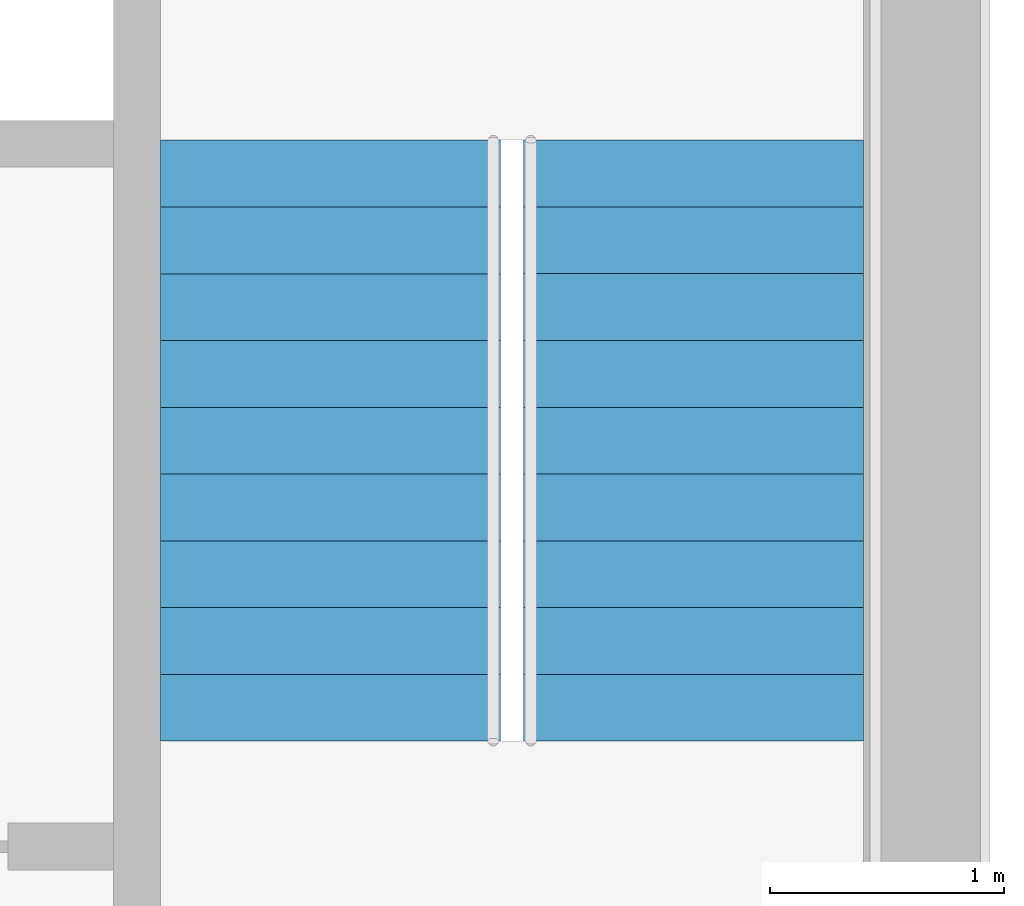
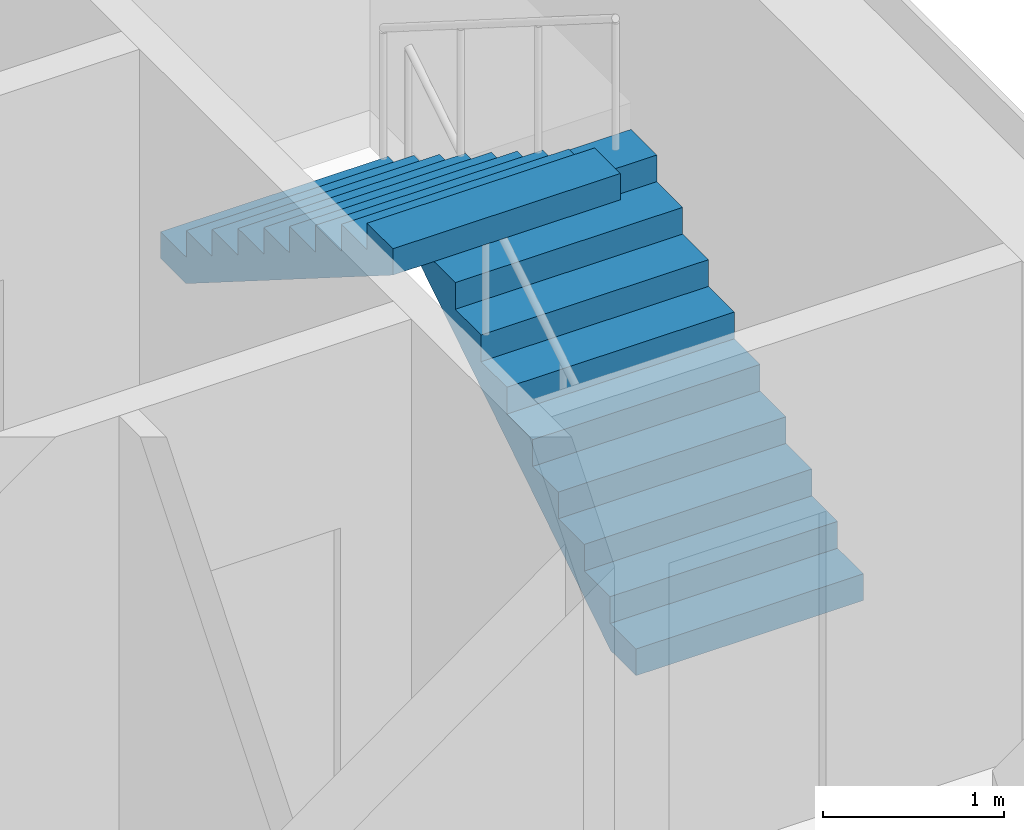
# One storey, part 39 of 40: 2 stair flights, 1 element without a shape of its own.
"""IFC4 building model written with IfcOpenShell, lengths in metres."""

from ifc_helpers import new_model, si_unit, direction, frame, origin, place, context, subcontext, project, spatial, polyline, outline, extrude, material, type_object, element, aggregate, save


model = new_model("IFC4")

# Units and contexts
model_context = context("Model", 3, precision=1e-05, world=origin(), true_north=direction((0.0, 1.0)))
body_context = subcontext(model_context, "Body", "Model", "MODEL_VIEW")
ifc_project = project(units=[si_unit("LENGTHUNIT", "METRE"), si_unit("AREAUNIT", "SQUARE_METRE"), si_unit("VOLUMEUNIT", "CUBIC_METRE"), si_unit("PLANEANGLEUNIT", "RADIAN"), si_unit("MASSUNIT", "GRAM", prefix="KILO")], contexts=[model_context])

# Site, building, storey
site_placement = place(None, origin())
site = spatial("IfcSite", under=ifc_project, at=site_placement, CompositionType="ELEMENT")
building_placement = place(site_placement, origin())
building = spatial("IfcBuilding", under=site, at=building_placement, Name="Altepetl Exchange Towers", CompositionType="ELEMENT")
storey_placement = place(building_placement, frame((0.0, 0.0, 202.800048828125)))
storey = spatial("IfcBuildingStorey", under=building, at=storey_placement, Name="L51", CompositionType="ELEMENT", Elevation=202.800048828125)

# Stair, stair flights
ifc_material = material(Name="Concrete C40/50", Category="concrete")
stair_type = type_object("IfcStairType", Name="Exit stair 1450 flights dogleg", PredefinedType="HALF_TURN_STAIR", material=ifc_material)
stair_placement = place(storey_placement, origin())
stair = element("IfcStair", 1, at=stair_placement, inside=storey, type_object=stair_type, Name="Exit stair 2", PredefinedType="HALF_TURN_STAIR")
stair_flight_type = type_object("IfcStairFlightType", Name="Stair flight 1450 wide", PredefinedType="STRAIGHT", material=ifc_material)
stair_flight_1_placement = place(storey_placement, frame((115.77490234375, 43.550048828125, 0.0), z_axis=(0.0, 0.0, 1.0), x_axis=(0.0, 1.0, 0.0)))
stair_flight_1 = element("IfcStairFlight", 2, at=stair_flight_1_placement, type_object=stair_flight_type, Name="ST-B2f flight 1", NumberOfRisers=10, NumberOfTreads=9, PredefinedType="STRAIGHT", RiserHeight=0.18, TreadLength=0.285, context=body_context, shape_type="SweptSolid", body=[
    extrude(outline(polyline([(0.0, 0.0), (0.0, 0.179931640625), (0.284912109375, 0.179931640625), (0.284912109375, 0.360107421875), (0.570068359375, 0.360107421875), (0.570068359375, 0.5400390625), (0.85498046875, 0.5400390625), (0.85498046875, 0.719970703125), (1.139892578125, 0.719970703125), (1.139892578125, 0.89990234375), (1.425048828125, 0.89990234375), (1.425048828125, 1.080078125), (1.7099609375, 1.080078125), (1.7099609375, 1.260009765625), (1.9951171875, 1.260009765625), (1.9951171875, 1.43994140625), (2.280029296875, 1.43994140625), (2.280029296875, 1.6201171875), (2.56494140625, 1.6201171875), (2.56494140625, 1.800048828125), (2.56494140625, 1.442626953125), (0.28076171875, 0.0), (0.0, 0.0)])), frame((0.0, 0.72509765625, 0.0), z_axis=(0.0, -1.0, 0.0), x_axis=(1.0, 0.0, 0.0)), (0.0, 0.0, 1.0), 1.449951171875),
])
stair_flight_2_placement = place(storey_placement, frame((114.22509765625, 46.114990234375, 1.800048828125), z_axis=(0.0, 0.0, 1.0), x_axis=(0.0, -1.0, 0.0)))
stair_flight_2 = element("IfcStairFlight", 3, at=stair_flight_2_placement, type_object=stair_flight_type, Name="ST-B2f flight 2", NumberOfRisers=10, NumberOfTreads=9, PredefinedType="STRAIGHT", RiserHeight=0.18, TreadLength=0.285, context=body_context, shape_type="SweptSolid", body=[
    extrude(outline(polyline([(0.0, 0.0), (0.0, 0.179931640625), (0.284912109375, 0.179931640625), (0.284912109375, 0.360107421875), (0.570068359375, 0.360107421875), (0.570068359375, 0.5400390625), (0.85498046875, 0.5400390625), (0.85498046875, 0.719970703125), (1.139892578125, 0.719970703125), (1.139892578125, 0.89990234375), (1.425048828125, 0.89990234375), (1.425048828125, 1.080078125), (1.7099609375, 1.080078125), (1.7099609375, 1.260009765625), (1.9951171875, 1.260009765625), (1.9951171875, 1.43994140625), (2.280029296875, 1.43994140625), (2.280029296875, 1.6201171875), (2.56494140625, 1.6201171875), (2.56494140625, 1.800048828125), (2.56494140625, 1.442626953125), (0.28076171875, 0.0), (0.0, 0.0)])), frame((0.0, 0.72509765625, 0.0), z_axis=(0.0, -1.0, 0.0), x_axis=(1.0, 0.0, 0.0)), (0.0, 0.0, 1.0), 1.449951171875),
])
aggregate(stair, [stair_flight_1, stair_flight_2])

save(model, "model.ifc")
